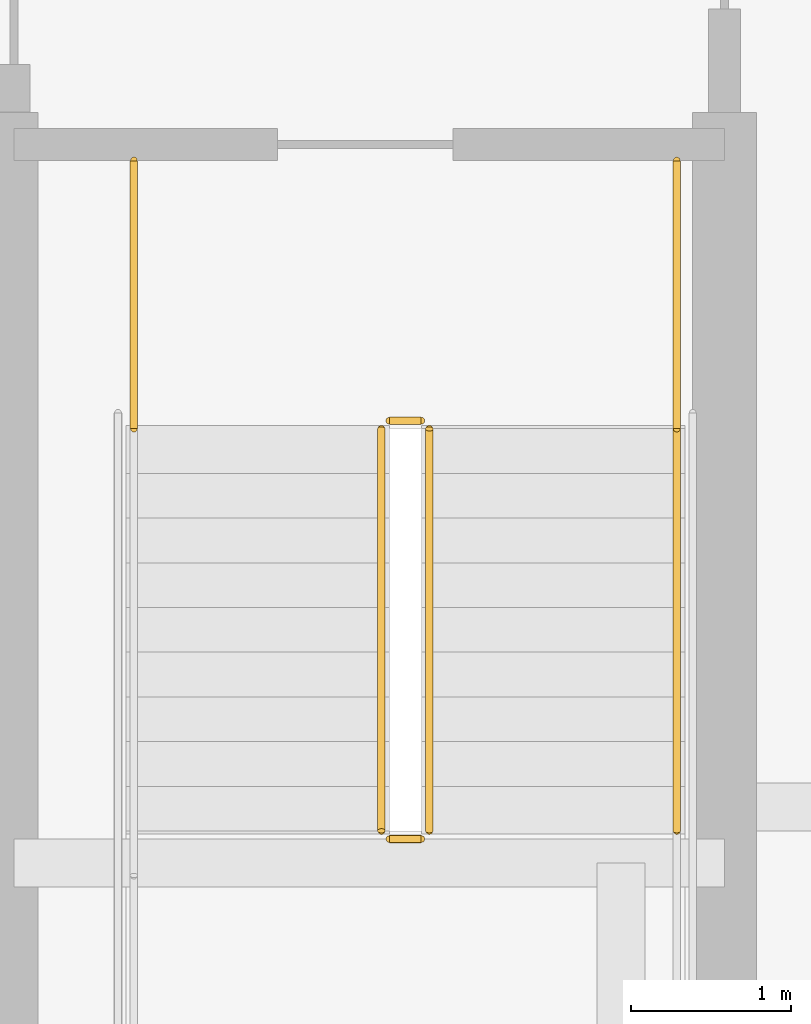
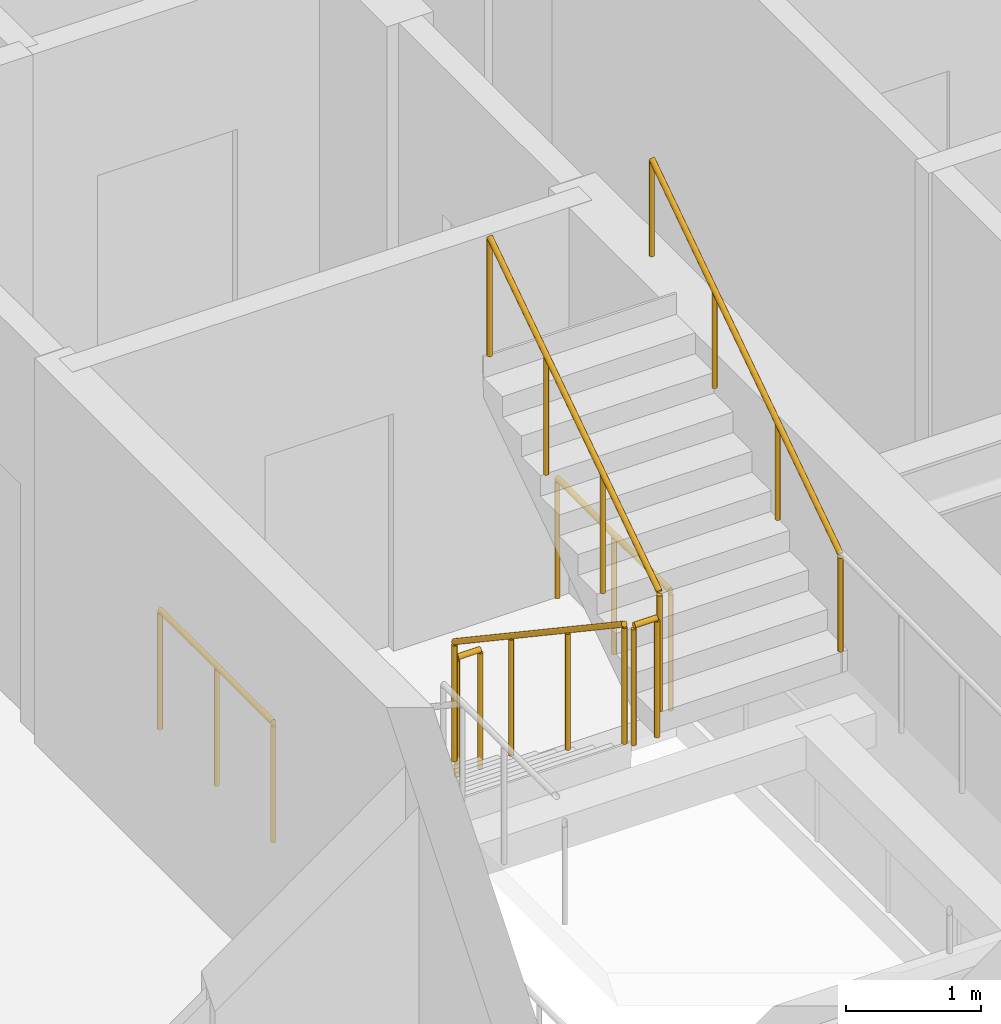
# One storey, part 36 of 37: 7 railings.
"""IFC4 building model written with IfcOpenShell, lengths in metres."""

from ifc_helpers import new_model, si_unit, direction, frame, origin, origin_2d, place, context, subcontext, project, spatial, circle, extrude, material, type_object, element, save


model = new_model("IFC4")

# Units and contexts
model_context = context("Model", 3, precision=1e-05, world=origin(), true_north=direction((0.0, 1.0)))
body_context = subcontext(model_context, "Body", "Model", "MODEL_VIEW")
ifc_project = project(units=[si_unit("LENGTHUNIT", "METRE"), si_unit("AREAUNIT", "SQUARE_METRE"), si_unit("VOLUMEUNIT", "CUBIC_METRE"), si_unit("PLANEANGLEUNIT", "RADIAN"), si_unit("MASSUNIT", "GRAM", prefix="KILO")], contexts=[model_context])

# Site, building, storey
site_placement = place(None, origin())
site = spatial("IfcSite", under=ifc_project, at=site_placement, CompositionType="ELEMENT")
building_placement = place(site_placement, origin())
building = spatial("IfcBuilding", under=site, at=building_placement, Name="Serunith Strait Residences", CompositionType="ELEMENT")
storey_placement = place(building_placement, frame((0.0, 0.0, 138.89990234375)))
storey = spatial("IfcBuildingStorey", under=building, at=storey_placement, Name="L34", CompositionType="ELEMENT", Elevation=138.89990234375)

# Railings
ifc_material = material(Name="Brushed stainless steel 316L", Category="steel")
railing_type_1 = type_object("IfcRailingType", Name="RLG-STAIR-GUARD", PredefinedType="BALUSTRADE", material=ifc_material)
railing_1_placement = place(storey_placement, frame((39.25, 23.3701171875, 0.1875)))
element("IfcRailing", 1, at=railing_1_placement, inside=storey, type_object=railing_type_1, Name="L34 ST-2 stair guard 1", PredefinedType="BALUSTRADE", context=body_context, shape_type="SweptSolid", body=[
    extrude(circle(Radius=0.02392578125, at=origin_2d()), frame((0.0, -0.001708984375, 1.0771484375), z_axis=(0.0, -0.830909170722, 0.55640807867), x_axis=(1.0, 0.0, 0.0)), (0.0, 0.0, 1.0), 3.02880859375),
    extrude(circle(Radius=0.02099609375, at=origin_2d()), origin(), (0.0, 0.0, 1.0), 1.050048828125),
    extrude(circle(Radius=0.02099609375, at=origin_2d()), frame((0.0, -0.840087890625, 0.5625)), (0.0, 0.0, 1.0), 1.050048828125),
    extrude(circle(Radius=0.02099609375, at=origin_2d()), frame((0.0, -1.679931640625, 1.125)), (0.0, 0.0, 1.0), 1.050048828125),
    extrude(circle(Radius=0.02099609375, at=origin_2d()), frame((0.0, -2.52001953125, 1.6875)), (0.0, 0.0, 1.0), 1.050048828125),
])
railing_2_placement = place(storey_placement, frame((39.300048828125, 20.800048828125, 1.875)))
element("IfcRailing", 2, at=railing_2_placement, inside=storey, type_object=railing_type_1, Name="L34 ST-2 stair guard 2", PredefinedType="BALUSTRADE", context=body_context, shape_type="SweptSolid", body=[
    extrude(circle(Radius=0.02392578125, at=origin_2d()), frame((0.001953125, 0.0, 1.076171875), z_axis=(1.0, 0.0, 0.0), x_axis=(0.0, 1.0, 0.0)), (0.0, 0.0, 1.0), 0.196044921875),
    extrude(circle(Radius=0.02099609375, at=origin_2d()), origin(), (0.0, 0.0, 1.0), 1.050048828125),
    extrude(circle(Radius=0.02099609375, at=origin_2d()), frame((0.199951171875, 0.0, 0.0)), (0.0, 0.0, 1.0), 1.050048828125),
])
railing_3_placement = place(storey_placement, frame((39.550048828125, 20.85009765625, 2.0625)))
element("IfcRailing", 3, at=railing_3_placement, inside=storey, type_object=railing_type_1, Name="L34 ST-2 stair guard 6", PredefinedType="BALUSTRADE", context=body_context, shape_type="SweptSolid", body=[
    extrude(circle(Radius=0.02392578125, at=origin_2d()), frame((0.0, 0.001708984375, 1.0771484375), z_axis=(0.0, 0.830909170722, 0.55640807867), x_axis=(-1.0, 0.0, 0.0)), (0.0, 0.0, 1.0), 3.02880859375),
    extrude(circle(Radius=0.02099609375, at=origin_2d()), origin(), (0.0, 0.0, 1.0), 1.050048828125),
    extrude(circle(Radius=0.02099609375, at=origin_2d()), frame((0.0, 0.840087890625, 0.5625)), (0.0, 0.0, 1.0), 1.050048828125),
    extrude(circle(Radius=0.02099609375, at=origin_2d()), frame((0.0, 1.679931640625, 1.125)), (0.0, 0.0, 1.0), 1.050048828125),
    extrude(circle(Radius=0.02099609375, at=origin_2d()), frame((0.0, 2.52001953125, 1.6875)), (0.0, 0.0, 1.0), 1.050048828125),
])
railing_4_placement = place(storey_placement, frame((39.300048828125, 23.419921875, 0.0)))
element("IfcRailing", 4, at=railing_4_placement, inside=storey, type_object=railing_type_1, Name="L34 ST-2 stair guard 7", PredefinedType="BALUSTRADE", context=body_context, shape_type="SweptSolid", body=[
    extrude(circle(Radius=0.02392578125, at=origin_2d()), frame((0.001953125, 0.0, 1.076171875), z_axis=(1.0, 0.0, 0.0), x_axis=(0.0, 1.0, 0.0)), (0.0, 0.0, 1.0), 0.196044921875),
    extrude(circle(Radius=0.02099609375, at=origin_2d()), origin(), (0.0, 0.0, 1.0), 1.050048828125),
    extrude(circle(Radius=0.02099609375, at=origin_2d()), frame((0.199951171875, 0.0, 0.0)), (0.0, 0.0, 1.0), 1.050048828125),
])
for number, where, name in (
    (5, (37.699951171875, 25.050048828125, 0.0), "L34 ST-2 stair guard 8"),
    (6, (41.10009765625, 25.050048828125, 0.0), "L34 ST-2 stair guard 9"),
):
    element("IfcRailing", number, at=place(storey_placement, frame(where)), inside=storey, type_object=railing_type_1, Name=name, PredefinedType="BALUSTRADE", context=body_context, shape_type="SweptSolid", body=[
        extrude(circle(Radius=0.02392578125, at=origin_2d()), frame((0.0, -0.001953125, 1.076171875), z_axis=(0.0, -1.0, 0.0), x_axis=(1.0, 0.0, 0.0)), (0.0, 0.0, 1.0), 1.676025390625),
        extrude(circle(Radius=0.02099609375, at=origin_2d()), origin(), (0.0, 0.0, 1.0), 1.050048828125),
        extrude(circle(Radius=0.02099609375, at=origin_2d()), frame((0.0, -0.83984375, 0.0)), (0.0, 0.0, 1.0), 1.050048828125),
        extrude(circle(Radius=0.02099609375, at=origin_2d()), frame((0.0, -1.679931640625, 0.0)), (0.0, 0.0, 1.0), 1.050048828125),
    ])
railing_type_2 = type_object("IfcRailingType", Name="RLG-STAIR-HR", PredefinedType="HANDRAIL", material=ifc_material)
railing_5_placement = place(storey_placement, frame((41.10009765625, 20.85009765625, 2.0625)))
element("IfcRailing", 7, at=railing_5_placement, inside=storey, type_object=railing_type_2, Name="L34 ST-2 stair handrail 2", PredefinedType="HANDRAIL", context=body_context, shape_type="SweptSolid", body=[
    extrude(circle(Radius=0.02392578125, at=origin_2d()), frame((0.0, 0.001708984375, 0.876953125), z_axis=(0.0, 0.830185712471, 0.557486935101), x_axis=(-1.0, 0.0, 0.0)), (0.0, 0.0, 1.0), 3.368408203125),
    extrude(circle(Radius=0.02099609375, at=origin_2d()), origin(), (0.0, 0.0, 1.0), 0.849853515625),
    extrude(circle(Radius=0.02099609375, at=origin_2d()), frame((0.0, 0.933349609375, 0.626708984375)), (0.0, 0.0, 1.0), 0.849853515625),
    extrude(circle(Radius=0.02099609375, at=origin_2d()), frame((0.0, 1.866455078125, 1.25341796875)), (0.0, 0.0, 1.0), 0.849853515625),
    extrude(circle(Radius=0.02099609375, at=origin_2d()), frame((0.0, 2.7998046875, 1.880126953125)), (0.0, 0.0, 1.0), 0.849853515625),
])

save(model, "model.ifc")
